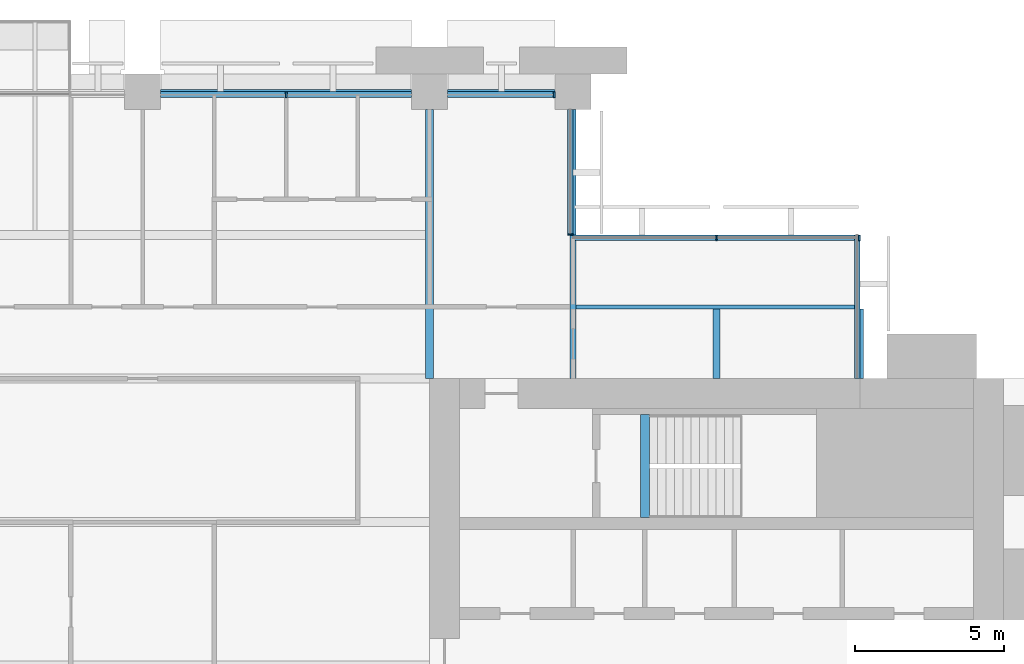
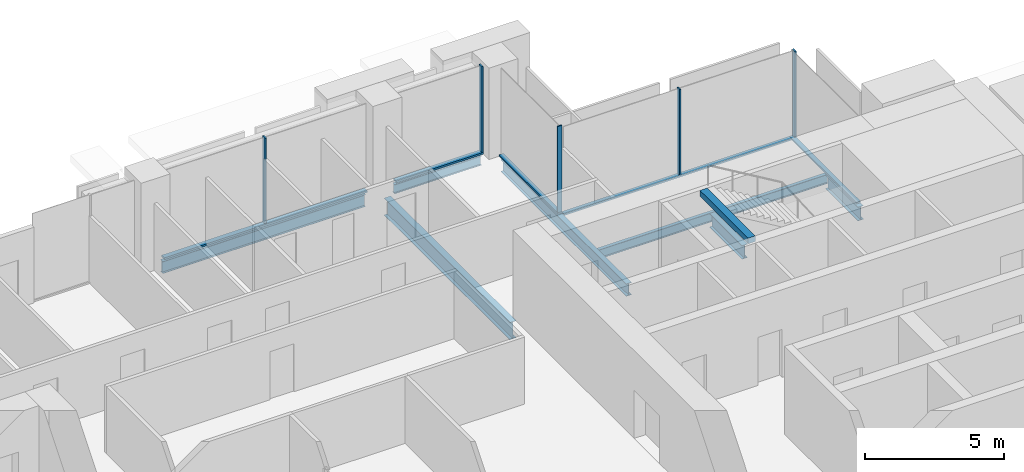
# One storey, part 7 of 15: 10 members, 8 beams, 4 elements without a shape of their own.
"""IFC4 building model written with IfcOpenShell, lengths in metres."""

from ifc_helpers import new_model, si_unit, direction, frame, origin, origin_2d, place, context, subcontext, project, spatial, rectangle, i_section, extrude, material, material_profile, profile_set, type_object, element, aggregate, save


model = new_model("IFC4")

# Units and contexts
model_context = context("Model", 3, precision=1e-05, world=origin(), true_north=direction((0.0, 1.0)))
body_context = subcontext(model_context, "Body", "Model", "MODEL_VIEW")
ifc_project = project(units=[si_unit("LENGTHUNIT", "METRE"), si_unit("AREAUNIT", "SQUARE_METRE"), si_unit("VOLUMEUNIT", "CUBIC_METRE"), si_unit("PLANEANGLEUNIT", "RADIAN"), si_unit("MASSUNIT", "GRAM", prefix="KILO")], contexts=[model_context])

# Site, building, storey
site_placement = place(None, origin())
site = spatial("IfcSite", under=ifc_project, at=site_placement, CompositionType="ELEMENT")
building_placement = place(site_placement, origin())
building = spatial("IfcBuilding", under=site, at=building_placement, Name="Baori Bourse Tower", CompositionType="ELEMENT")
storey_placement = place(building_placement, frame((0.0, 0.0, 128.10009765625)))
storey = spatial("IfcBuildingStorey", under=building, at=storey_placement, Name="L27", CompositionType="ELEMENT", Elevation=128.10009765625)

# Curtain wall, members
ifc_material_1 = material(Name="Pale anodised aluminium", Category="aluminium")
curtain_wall_type_1 = type_object("IfcCurtainWallType", Name="CW1 Curtain wall", PredefinedType="NOTDEFINED", material=ifc_material_1)
curtain_wall_1_placement = place(storey_placement, origin())
curtain_wall_1 = element("IfcCurtainWall", 1, at=curtain_wall_1_placement, inside=storey, type_object=curtain_wall_type_1, Name="Curtain wall CW1 L27 4", PredefinedType="NOTDEFINED")
ifc_material_2 = material(Name="Pale anodised aluminium", Category="aluminium")
ifc_material_profile_1 = material_profile(ifc_material_2, rectangle(XDim=0.199951171875, YDim=0.06005859375, at=origin_2d()), Name="Mullion 60x200")
ifc_profile_set_1 = profile_set([ifc_material_profile_1], Name="Pale anodised aluminium")
member_type_1 = type_object("IfcMemberType", Name="CW1 Curtain wall mullion", PredefinedType="MULLION", material=ifc_profile_set_1)
member_1_placement = place(storey_placement, frame((42.570068359375, 47.89990234375, 0.079833984375), z_axis=(0.0, 0.0, 1.0), x_axis=(0.0, -1.0, 0.0)))
member_1 = element("IfcMember", 2, at=member_1_placement, type_object=member_type_1, Name="Curtain wall CW1 mullion", PredefinedType="MULLION", context=body_context, shape_type="SweptSolid", body=[
    extrude(rectangle(XDim=0.199951171875, YDim=0.06005859375, at=origin_2d()), origin(), (0.0, 0.0, 1.0), 3.760009765625),
])
member_2_placement = place(storey_placement, frame((33.60009765625, 47.89990234375, 0.079833984375), z_axis=(0.0, 0.0, 1.0), x_axis=(0.0, -1.0, 0.0)))
member_2 = element("IfcMember", 3, at=member_2_placement, type_object=member_type_1, Name="Curtain wall CW1 mullion", PredefinedType="MULLION", context=body_context, shape_type="SweptSolid", body=[
    extrude(rectangle(XDim=0.199951171875, YDim=0.06005859375, at=origin_2d()), origin(), (0.0, 0.0, 1.0), 3.760009765625),
])
ifc_material_3 = material(Name="Pale anodised aluminium", Category="aluminium")
ifc_material_profile_2 = material_profile(ifc_material_3, rectangle(XDim=0.199951171875, YDim=0.080078125, at=origin_2d()), Name="Transom 80x200")
ifc_profile_set_2 = profile_set([ifc_material_profile_2], Name="Pale anodised aluminium")
member_type_2 = type_object("IfcMemberType", Name="CW1 Curtain wall transom", PredefinedType="USERDEFINED", material=ifc_profile_set_2)
member_3_placement = place(storey_placement, frame((42.60009765625, 47.89990234375, 0.039794921875), z_axis=(-1.0, 0.0, 0.0), x_axis=(0.0, -1.0, 0.0)))
member_3 = element("IfcMember", 4, at=member_3_placement, type_object=member_type_2, Name="Curtain wall CW1 sill rail", ObjectType="TRANSOM", PredefinedType="USERDEFINED", context=body_context, shape_type="SweptSolid", body=[
    extrude(rectangle(XDim=0.199951171875, YDim=0.080078125, at=origin_2d()), origin(), (0.0, 0.0, 1.0), 3.60009765625),
])
member_4_placement = place(storey_placement, frame((37.800048828125, 47.89990234375, 0.039794921875), z_axis=(-1.0, 0.0, 0.0), x_axis=(0.0, -1.0, 0.0)))
member_4 = element("IfcMember", 5, at=member_4_placement, type_object=member_type_2, Name="Curtain wall CW1 sill rail", ObjectType="TRANSOM", PredefinedType="USERDEFINED", context=body_context, shape_type="SweptSolid", body=[
    extrude(rectangle(XDim=0.199951171875, YDim=0.080078125, at=origin_2d()), origin(), (0.0, 0.0, 1.0), 8.400146484375),
])
aggregate(curtain_wall_1, [member_3, member_1, member_4, member_2])

ifc_material_4 = material(Name="Pale anodised aluminium", Category="aluminium")
curtain_wall_type_2 = type_object("IfcCurtainWallType", Name="CW2 Curtain wall", PredefinedType="NOTDEFINED", material=ifc_material_4)
curtain_wall_2_placement = place(storey_placement, origin())
curtain_wall_2 = element("IfcCurtainWall", 6, at=curtain_wall_2_placement, inside=storey, type_object=curtain_wall_type_2, Name="Curtain wall CW2 L27 2", PredefinedType="NOTDEFINED")
ifc_material_5 = material(Name="Pale anodised aluminium", Category="aluminium")
ifc_material_profile_3 = material_profile(ifc_material_5, rectangle(XDim=0.179931640625, YDim=0.054931640625, at=origin_2d()), Name="Mullion 55x180")
ifc_profile_set_3 = profile_set([ifc_material_profile_3], Name="Pale anodised aluminium")
member_type_3 = type_object("IfcMemberType", Name="CW2 Curtain wall mullion", PredefinedType="MULLION", material=ifc_profile_set_3)
member_5_placement = place(storey_placement, frame((52.7724609375, 43.110107421875, 0.06982421875), z_axis=(0.0, 0.0, 1.0), x_axis=(0.0, -1.0, 0.0)))
member_5 = element("IfcMember", 7, at=member_5_placement, type_object=member_type_3, Name="Curtain wall CW2 mullion", PredefinedType="MULLION", context=body_context, shape_type="SweptSolid", body=[
    extrude(rectangle(XDim=0.179931640625, YDim=0.054931640625, at=origin_2d()), origin(), (0.0, 0.0, 1.0), 3.77001953125),
])
member_6_placement = place(storey_placement, frame((48.0, 43.110107421875, 0.06982421875), z_axis=(0.0, 0.0, 1.0), x_axis=(0.0, -1.0, 0.0)))
member_6 = element("IfcMember", 8, at=member_6_placement, type_object=member_type_3, Name="Curtain wall CW2 mullion", PredefinedType="MULLION", context=body_context, shape_type="SweptSolid", body=[
    extrude(rectangle(XDim=0.179931640625, YDim=0.054931640625, at=origin_2d()), origin(), (0.0, 0.0, 1.0), 3.77001953125),
])

# Curtain wall, member
curtain_wall_3_placement = place(storey_placement, origin())
curtain_wall_3 = element("IfcCurtainWall", 9, at=curtain_wall_3_placement, inside=storey, type_object=curtain_wall_type_2, Name="Curtain wall CW2 L27 3", PredefinedType="NOTDEFINED")
member_7_placement = place(storey_placement, frame((43.110107421875, 43.2275390625, 0.06982421875), z_axis=(0.0, 0.0, 1.0), x_axis=(-1.0, 0.0, 0.0)))
member_7 = element("IfcMember", 10, at=member_7_placement, type_object=member_type_3, Name="Curtain wall CW2 mullion", PredefinedType="MULLION", context=body_context, shape_type="SweptSolid", body=[
    extrude(rectangle(XDim=0.179931640625, YDim=0.054931640625, at=origin_2d()), origin(), (0.0, 0.0, 1.0), 3.77001953125),
])

curtain_wall_4_placement = place(storey_placement, origin())
curtain_wall_4 = element("IfcCurtainWall", 11, at=curtain_wall_4_placement, inside=storey, type_object=curtain_wall_type_2, Name="Curtain wall CW2 L27 1", PredefinedType="NOTDEFINED")
ifc_material_6 = material(Name="Pale anodised aluminium", Category="aluminium")
ifc_material_profile_4 = material_profile(ifc_material_6, rectangle(XDim=0.179931640625, YDim=0.070068359375, at=origin_2d()), Name="Transom 70x180")
ifc_profile_set_4 = profile_set([ifc_material_profile_4], Name="Pale anodised aluminium")
member_type_4 = type_object("IfcMemberType", Name="CW2 Curtain wall transom", PredefinedType="USERDEFINED", material=ifc_profile_set_4)
member_8_placement = place(storey_placement, frame((52.7099609375, 38.39990234375, 0.034912109375), z_axis=(0.0, 1.0, 0.0), x_axis=(-1.0, 0.0, 0.0)))
member_8 = element("IfcMember", 12, at=member_8_placement, type_object=member_type_4, Name="Curtain wall CW2 sill rail", ObjectType="TRANSOM", PredefinedType="USERDEFINED", context=body_context, shape_type="SweptSolid", body=[
    extrude(rectangle(XDim=0.179931640625, YDim=0.070068359375, at=origin_2d()), origin(), (0.0, 0.0, 1.0), 4.800048828125),
])
aggregate(curtain_wall_4, [member_8])

# Member
member_9_placement = place(storey_placement, frame((52.800048828125, 43.110107421875, 0.034912109375), z_axis=(-1.0, 0.0, 0.0), x_axis=(0.0, -1.0, 0.0)))
member_9 = element("IfcMember", 13, at=member_9_placement, type_object=member_type_4, Name="Curtain wall CW2 sill rail", ObjectType="TRANSOM", PredefinedType="USERDEFINED", context=body_context, shape_type="SweptSolid", body=[
    extrude(rectangle(XDim=0.179931640625, YDim=0.070068359375, at=origin_2d()), origin(), (0.0, 0.0, 1.0), 9.60009765625),
])

aggregate(curtain_wall_2, [member_9, member_5, member_6])

member_10_placement = place(storey_placement, frame((43.110107421875, 43.199951171875, 0.034912109375), z_axis=(0.0, 1.0, 0.0), x_axis=(-1.0, 0.0, 0.0)))
member_10 = element("IfcMember", 14, at=member_10_placement, type_object=member_type_4, Name="Curtain wall CW2 sill rail", ObjectType="TRANSOM", PredefinedType="USERDEFINED", context=body_context, shape_type="SweptSolid", body=[
    extrude(rectangle(XDim=0.179931640625, YDim=0.070068359375, at=origin_2d()), origin(), (0.0, 0.0, 1.0), 4.199951171875),
])

aggregate(curtain_wall_3, [member_10, member_7])

# Beams
ifc_material_7 = material(Name="Steel A992 Gr 50", Category="steel")
ifc_material_profile_5 = material_profile(ifc_material_7, i_section(OverallWidth=0.227783203125, OverallDepth=0.60205078125, WebThickness=0.010498046875, FlangeThickness=0.014892578125, at=origin_2d()), Name="W24x68")
ifc_profile_set_5 = profile_set([ifc_material_profile_5], Name="Steel A992 Gr 50")
beam_type_1 = type_object("IfcBeamType", Name="Core bracket W24x68", PredefinedType="BEAM", material=ifc_profile_set_5)
for number, where, z_axis, x_axis, name in (
    (15, (48.0, 38.39990234375, -0.461181640625), (0.0, 1.0, 0.0), (-1.0, 0.0, 0.0), "Core bracket L27"),
    (16, (52.800048828125, 38.39990234375, -0.461181640625), (0.0, 1.0, 0.0), (-1.0, 0.0, 0.0), "Core bracket L27"),
):
    element("IfcBeam", number, at=place(storey_placement, frame(where, z_axis=z_axis, x_axis=x_axis)), inside=storey, type_object=beam_type_1, Name=name, PredefinedType="BEAM", context=body_context, shape_type="SweptSolid", body=[
        extrude(i_section(OverallWidth=0.227783203125, OverallDepth=0.60205078125, WebThickness=0.010498046875, FlangeThickness=0.014892578125, at=origin_2d()), origin(), (0.0, 0.0, 1.0), 2.329833984375),
    ])
ifc_material_8 = material(Name="Steel A992 Gr 50", Category="steel")
ifc_material_profile_6 = material_profile(ifc_material_8, i_section(OverallWidth=0.140380859375, OverallDepth=0.40380859375, WebThickness=0.007080078125, FlangeThickness=0.01123046875, at=origin_2d()), Name="W16x31")
ifc_profile_set_6 = profile_set([ifc_material_profile_6], Name="Steel A992 Gr 50")
beam_type_2 = type_object("IfcBeamType", Name="Edge beam W16x31", PredefinedType="BEAM", material=ifc_profile_set_6)
beam_1_placement = place(storey_placement, frame((39.0, 48.0, -0.362060546875), z_axis=(1.0, 0.0, 0.0), x_axis=(0.0, 1.0, 0.0)))
element("IfcBeam", 17, at=beam_1_placement, inside=storey, type_object=beam_type_2, Name="Edge beam L27", PredefinedType="BEAM", context=body_context, shape_type="SweptSolid", body=[
    extrude(i_section(OverallWidth=0.140380859375, OverallDepth=0.40380859375, WebThickness=0.007080078125, FlangeThickness=0.01123046875, at=origin_2d()), origin(), (0.0, 0.0, 1.0), 3.60009765625),
])
ifc_material_9 = material(Name="Steel A992 Gr 50", Category="steel")
ifc_material_profile_7 = material_profile(ifc_material_9, i_section(OverallWidth=0.1650390625, OverallDepth=0.52587890625, WebThickness=0.0087890625, FlangeThickness=0.011474609375, at=origin_2d()), Name="W21x44")
ifc_profile_set_7 = profile_set([ifc_material_profile_7], Name="Steel A992 Gr 50")
beam_type_3 = type_object("IfcBeamType", Name="Edge beam W21x44", PredefinedType="BEAM", material=ifc_profile_set_7)
beam_2_placement = place(storey_placement, frame((29.39990234375, 48.0, -0.423095703125), z_axis=(1.0, 0.0, 0.0), x_axis=(0.0, 1.0, 0.0)))
element("IfcBeam", 18, at=beam_2_placement, inside=storey, type_object=beam_type_3, Name="Edge beam L27", PredefinedType="BEAM", context=body_context, shape_type="SweptSolid", body=[
    extrude(i_section(OverallWidth=0.1650390625, OverallDepth=0.52587890625, WebThickness=0.0087890625, FlangeThickness=0.011474609375, at=origin_2d()), origin(), (0.0, 0.0, 1.0), 8.400146484375),
])
ifc_material_10 = material(Name="Steel A992 Gr 50", Category="steel")
ifc_material_profile_8 = material_profile(ifc_material_10, i_section(OverallWidth=0.21240234375, OverallDepth=0.54345703125, WebThickness=0.01318359375, FlangeThickness=0.021240234375, at=origin_2d()), Name="W21x83")
ifc_profile_set_8 = profile_set([ifc_material_profile_8], Name="Steel A992 Gr 50")
beam_type_4 = type_object("IfcBeamType", Name="Floor beam W21x83", PredefinedType="BEAM", material=ifc_profile_set_8)
beam_3_placement = place(storey_placement, frame((43.199951171875, 38.39990234375, -0.431884765625), z_axis=(0.0, 1.0, 0.0), x_axis=(-1.0, 0.0, 0.0)))
element("IfcBeam", 19, at=beam_3_placement, inside=storey, type_object=beam_type_4, Name="Floor beam L27", PredefinedType="BEAM", context=body_context, shape_type="SweptSolid", body=[
    extrude(i_section(OverallWidth=0.21240234375, OverallDepth=0.54345703125, WebThickness=0.01318359375, FlangeThickness=0.021240234375, at=origin_2d()), origin(), (0.0, 0.0, 1.0), 9.0),
])
ifc_material_11 = material(Name="Steel A992 Gr 50", Category="steel")
ifc_material_profile_9 = material_profile(ifc_material_11, i_section(OverallWidth=0.2666015625, OverallDepth=0.7568359375, WebThickness=0.013916015625, FlangeThickness=0.019287109375, at=origin_2d()), Name="W30x108")
ifc_profile_set_9 = profile_set([ifc_material_profile_9], Name="Steel A992 Gr 50")
beam_type_5 = type_object("IfcBeamType", Name="Girder W30x108", PredefinedType="BEAM", material=ifc_profile_set_9)
beam_4_placement = place(storey_placement, frame((38.39990234375, 38.39990234375, -0.53857421875), z_axis=(0.0, 1.0, 0.0), x_axis=(-1.0, 0.0, 0.0)))
element("IfcBeam", 20, at=beam_4_placement, inside=storey, type_object=beam_type_5, Name="Girder L27", PredefinedType="BEAM", context=body_context, shape_type="SweptSolid", body=[
    extrude(i_section(OverallWidth=0.2666015625, OverallDepth=0.7568359375, WebThickness=0.013916015625, FlangeThickness=0.019287109375, at=origin_2d()), origin(), (0.0, 0.0, 1.0), 9.0),
])
ifc_material_12 = material(Name="Concrete f'c 50 MPa", Category="concrete")
ifc_material_profile_10 = material_profile(ifc_material_12, rectangle(XDim=0.300048828125, YDim=0.25, at=origin_2d()), Name="RC 300x250")
ifc_profile_set_10 = profile_set([ifc_material_profile_10], Name="Concrete f'c 50 MPa")
beam_type_6 = type_object("IfcBeamType", Name="Stair nib beam RC 300x250", PredefinedType="BEAM", material=ifc_profile_set_10)
beam_5_placement = place(storey_placement, frame((45.60009765625, 33.75, 3.71484375), z_axis=(0.0, 1.0, 0.0), x_axis=(-1.0, 0.0, 0.0)))
element("IfcBeam", 21, at=beam_5_placement, inside=storey, type_object=beam_type_6, Name="Stair EB nib beam L28", PredefinedType="BEAM", context=body_context, shape_type="SweptSolid", body=[
    extrude(rectangle(XDim=0.300048828125, YDim=0.25, at=origin_2d()), origin(), (0.0, 0.0, 1.0), 3.449951171875),
])
ifc_material_13 = material(Name="Steel A992 Gr 50", Category="steel")
ifc_material_profile_11 = material_profile(ifc_material_13, i_section(OverallWidth=0.140380859375, OverallDepth=0.40380859375, WebThickness=0.007080078125, FlangeThickness=0.01123046875, at=origin_2d()), Name="W16x31")
ifc_profile_set_11 = profile_set([ifc_material_profile_11], Name="Steel A992 Gr 50")
beam_type_7 = type_object("IfcBeamType", Name="Trimmer beam W16x31", PredefinedType="BEAM", material=ifc_profile_set_11)
beam_6_placement = place(storey_placement, frame((43.30615234375, 40.800048828125, -0.362060546875), z_axis=(1.0, 0.0, 0.0), x_axis=(0.0, 1.0, 0.0)))
element("IfcBeam", 22, at=beam_6_placement, inside=storey, type_object=beam_type_7, Name="Trimmer beam L27", PredefinedType="BEAM", context=body_context, shape_type="SweptSolid", body=[
    extrude(i_section(OverallWidth=0.140380859375, OverallDepth=0.40380859375, WebThickness=0.007080078125, FlangeThickness=0.01123046875, at=origin_2d()), origin(), (0.0, 0.0, 1.0), 9.493896484375),
])

save(model, "model.ifc")
